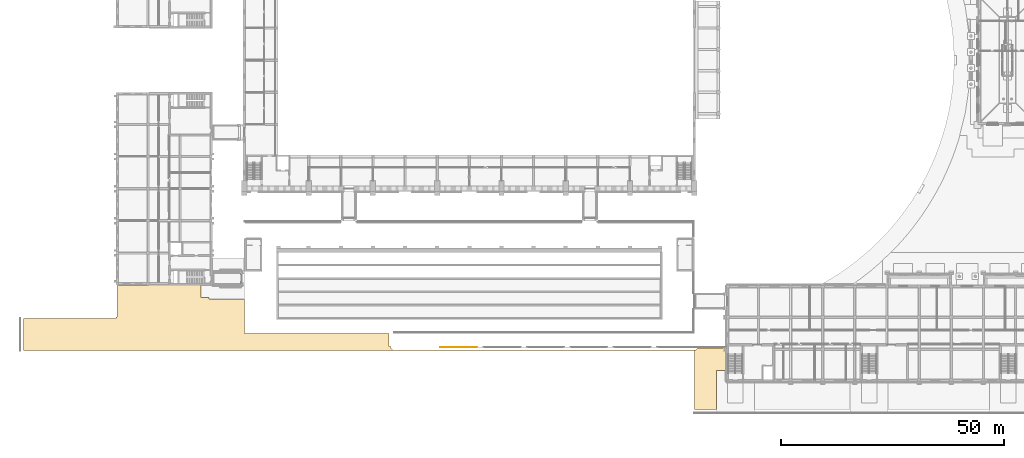
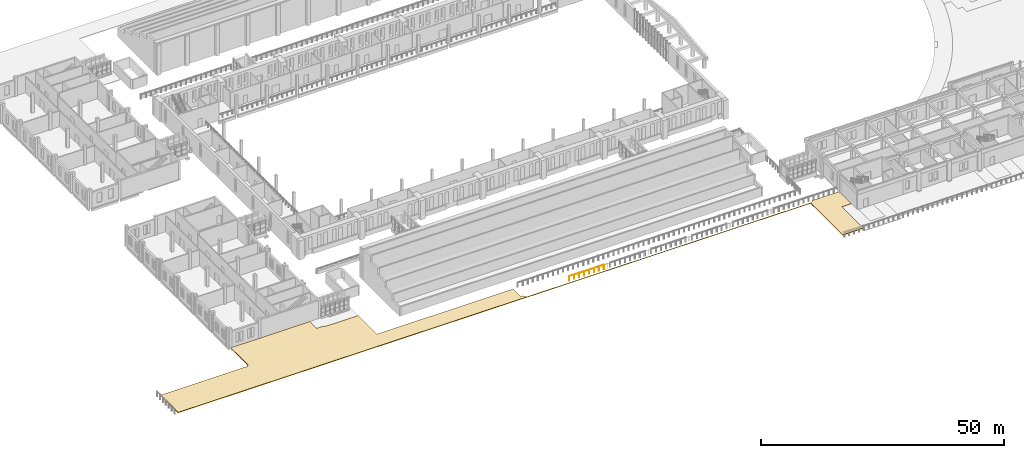
# One storey, part 115 of 131: 1 covering, 1 railing.
"""IFC4 building model written with IfcOpenShell, lengths in metres."""

from ifc_helpers import new_model, si_unit, direction, frame, origin, origin_2d, place, context, subcontext, project, spatial, polyline, circle, outline, extrude, material, layer, layer_set, type_object, element, save


model = new_model("IFC4")

# Units and contexts
model_context = context("Model", 3, precision=1e-05, world=origin(), true_north=direction((0.0, 1.0)))
body_context = subcontext(model_context, "Body", "Model", "MODEL_VIEW")
ifc_project = project(units=[si_unit("LENGTHUNIT", "METRE"), si_unit("AREAUNIT", "SQUARE_METRE"), si_unit("VOLUMEUNIT", "CUBIC_METRE"), si_unit("PLANEANGLEUNIT", "RADIAN"), si_unit("MASSUNIT", "GRAM", prefix="KILO")], contexts=[model_context])

# Site, building, storey
site_placement = place(None, origin())
site = spatial("IfcSite", under=ifc_project, at=site_placement, CompositionType="ELEMENT")
building_placement = place(site_placement, origin())
building = spatial("IfcBuilding", under=site, at=building_placement, Name="Alderwick Market Hall", CompositionType="ELEMENT")
storey_placement = place(building_placement, frame((0.0, 0.0, 4.800048828125)))
storey = spatial("IfcBuildingStorey", under=building, at=storey_placement, Name="L00", CompositionType="ELEMENT", Elevation=4.800048828125)

# Covering
ifc_material_1 = material(Name="Compacted gravel and turf on till")
ifc_layer = layer(ifc_material_1, 0.14990234375)
ifc_layer_set = layer_set([ifc_layer], Name="Compacted gravel and turf on till")
covering_type = type_object("IfcCoveringType", Name="S Ground Paving 150", PredefinedType="USERDEFINED", material=ifc_layer_set)
covering_placement = place(storey_placement, frame((0.0, 0.0, -0.150146484375)))
element("IfcCovering", 1, at=covering_placement, inside=storey, type_object=covering_type, Name="Ground 10", ObjectType="GROUND", PredefinedType="USERDEFINED", context=body_context, shape_type="SweptSolid", body=[
    extrude(outline(polyline([(82.800048828125, 18.0), (50.39990234375, 18.0), (50.39990234375, 25.699951171875), (42.429931640625, 25.699951171875), (42.429931640625, 26.0), (40.699951171875, 26.0), (40.699951171875, 28.800048828125), (35.60009765625, 28.800048828125), (34.5, 28.800048828125), (29.13037109375, 28.800048828125), (29.1181640625, 28.78173828125), (28.97216796875, 28.684326171875), (28.800048828125, 28.64990234375), (28.627685546875, 28.684326171875), (28.481689453125, 28.78173828125), (28.469482421875, 28.800048828125), (22.23046875, 28.800048828125), (22.21826171875, 28.78173828125), (22.072265625, 28.684326171875), (21.909912109375, 28.652099609375), (21.909912109375, 21.60009765625), (21.909912109375, 21.59912109375), (21.909912109375, 21.597900390625), (21.90966796875, 21.59716796875), (21.9091796875, 21.59619140625), (21.90869140625, 21.59521484375), (21.908203125, 21.594482421875), (21.90771484375, 21.59375), (21.906982421875, 21.593017578125), (21.90625, 21.59228515625), (21.905517578125, 21.591796875), (21.90478515625, 21.59130859375), (21.90380859375, 21.5908203125), (21.90283203125, 21.59033203125), (21.902099609375, 21.590087890625), (21.90087890625, 21.590087890625), (21.89990234375, 21.590087890625), (21.610107421875, 21.590087890625), (21.610107421875, 21.300048828125), (21.610107421875, 21.299072265625), (21.60986328125, 21.298095703125), (21.609619140625, 21.297119140625), (21.609130859375, 21.296142578125), (21.60888671875, 21.29541015625), (21.6083984375, 21.29443359375), (21.607666015625, 21.293701171875), (21.607177734375, 21.29296875), (21.606201171875, 21.292236328125), (21.605712890625, 21.291748046875), (21.604736328125, 21.291259765625), (21.603759765625, 21.290771484375), (21.602783203125, 21.290283203125), (21.60205078125, 21.290283203125), (21.60107421875, 21.2900390625), (21.60009765625, 21.2900390625), (0.909912109375, 21.2900390625), (0.909912109375, 14.110107421875), (151.199951171875, 14.110107421875), (151.200927734375, 14.110107421875), (151.201904296875, 14.10986328125), (151.202880859375, 14.109619140625), (151.203857421875, 14.109130859375), (151.20458984375, 14.10888671875), (151.20556640625, 14.1083984375), (151.206298828125, 14.107666015625), (151.20703125, 14.107177734375), (151.207763671875, 14.106201171875), (151.208251953125, 14.105712890625), (151.208740234375, 14.104736328125), (151.209228515625, 14.103759765625), (151.209716796875, 14.102783203125), (151.209716796875, 14.10205078125), (151.2099609375, 14.10107421875), (151.2099609375, 14.10009765625), (151.2099609375, 0.909912109375), (156.14990234375, 0.909912109375), (156.14990234375, 9.699951171875), (158.39990234375, 9.699951171875), (158.39990234375, 14.699951171875), (151.94140625, 14.699951171875), (151.939208984375, 14.69384765625), (151.905517578125, 14.622802734375), (151.865234375, 14.555419921875), (151.818359375, 14.492431640625), (151.765625, 14.434326171875), (151.70751953125, 14.381591796875), (151.64453125, 14.334716796875), (151.5771484375, 14.29443359375), (151.506103515625, 14.260986328125), (151.43212890625, 14.234375), (151.356201171875, 14.21533203125), (151.2783203125, 14.203857421875), (151.199951171875, 14.199951171875), (84.0, 14.199951171875), (83.921630859375, 14.203857421875), (83.843994140625, 14.21533203125), (83.767822265625, 14.234375), (83.69384765625, 14.260986328125), (83.622802734375, 14.29443359375), (83.555419921875, 14.334716796875), (83.492431640625, 14.381591796875), (83.434326171875, 14.434326171875), (83.381591796875, 14.492431640625), (83.334716796875, 14.555419921875), (83.29443359375, 14.622802734375), (83.260986328125, 14.69384765625), (83.234375, 14.767822265625), (83.21533203125, 14.843994140625), (83.203857421875, 14.921630859375), (83.199951171875, 15.0), (82.800048828125, 15.0), (82.800048828125, 18.0)])), origin(), (0.0, 0.0, 1.0), 0.150146484375),
])

# Railing
ifc_material_2 = material(Name="Steel ASTM A500 Grade C", Category="steel")
railing_type = type_object("IfcRailingType", Name="S Guard 1100", PredefinedType="GUARDRAIL", material=ifc_material_2)
railing_placement = place(storey_placement, frame((102.556884765625, 14.85009765625, 0.0)))
element("IfcRailing", 2, at=railing_placement, inside=storey, type_object=railing_type, Name="Guard S.12", PredefinedType="GUARDRAIL", context=body_context, shape_type="SweptSolid", body=[
    extrude(circle(Radius=0.02490234375, at=origin_2d()), frame((0.0, 0.0, 1.0751953125), z_axis=(-1.0, 0.0, 0.0), x_axis=(0.0, -1.0, 0.0)), (0.0, 0.0, 1.0), 8.227783203125),
    extrude(circle(Radius=0.02001953125, at=origin_2d()), origin(), (0.0, 0.0, 1.0), 1.050048828125),
    extrude(circle(Radius=0.02001953125, at=origin_2d()), frame((-1.17529296875, 0.0, 0.0)), (0.0, 0.0, 1.0), 1.050048828125),
    extrude(circle(Radius=0.02001953125, at=origin_2d()), frame((-2.350830078125, 0.0, 0.0)), (0.0, 0.0, 1.0), 1.050048828125),
    extrude(circle(Radius=0.02001953125, at=origin_2d()), frame((-3.526123046875, 0.0, 0.0)), (0.0, 0.0, 1.0), 1.050048828125),
    extrude(circle(Radius=0.02001953125, at=origin_2d()), frame((-4.70166015625, 0.0, 0.0)), (0.0, 0.0, 1.0), 1.050048828125),
    extrude(circle(Radius=0.02001953125, at=origin_2d()), frame((-5.876953125, 0.0, 0.0)), (0.0, 0.0, 1.0), 1.050048828125),
    extrude(circle(Radius=0.02001953125, at=origin_2d()), frame((-7.052490234375, 0.0, 0.0)), (0.0, 0.0, 1.0), 1.050048828125),
    extrude(circle(Radius=0.02001953125, at=origin_2d()), frame((-8.227783203125, 0.0, 0.0)), (0.0, 0.0, 1.0), 1.050048828125),
])

save(model, "model.ifc")
